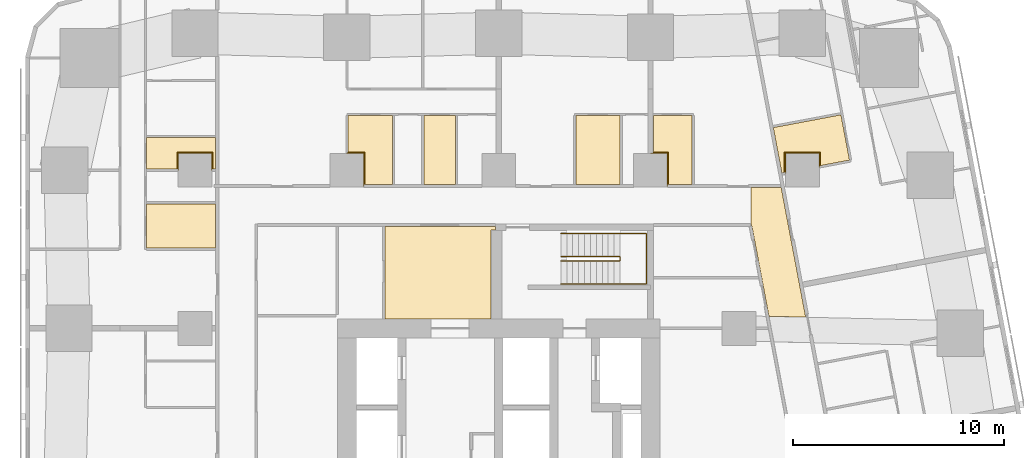
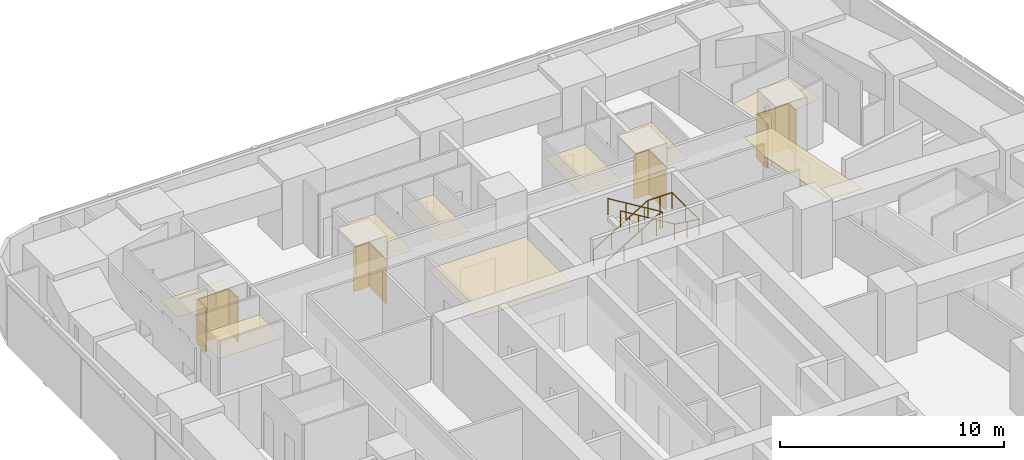
# One storey, part 14 of 14: 13 coverings, 2 railings.
"""IFC4 building model written with IfcOpenShell, lengths in metres."""

from ifc_helpers import new_model, si_unit, direction, frame, origin, origin_2d, place, context, subcontext, project, spatial, polyline, circle, outline, extrude, material, layer, layer_set, type_object, element, save


model = new_model("IFC4")

# Units and contexts
model_context = context("Model", 3, precision=1e-05, world=origin(), true_north=direction((0.0, 1.0)))
body_context = subcontext(model_context, "Body", "Model", "MODEL_VIEW")
ifc_project = project(units=[si_unit("LENGTHUNIT", "METRE"), si_unit("AREAUNIT", "SQUARE_METRE"), si_unit("VOLUMEUNIT", "CUBIC_METRE"), si_unit("PLANEANGLEUNIT", "RADIAN"), si_unit("MASSUNIT", "GRAM", prefix="KILO")], contexts=[model_context])

# Site, building, storey
site_placement = place(None, origin())
site = spatial("IfcSite", under=ifc_project, at=site_placement, CompositionType="ELEMENT")
building_placement = place(site_placement, origin())
building = spatial("IfcBuilding", under=site, at=building_placement, Name="Sheger Commons Tower", CompositionType="ELEMENT")
storey_placement = place(building_placement, frame((0.0, 0.0, 126.64990234375)))
storey = spatial("IfcBuildingStorey", under=building, at=storey_placement, Name="L32", CompositionType="ELEMENT", Elevation=126.64990234375)

# Railings
ifc_material_1 = material(Name="Steel handrail, black powder-coated", Category="steel")
railing_type = type_object("IfcRailingType", Name="HANDRAIL 900", PredefinedType="HANDRAIL", material=ifc_material_1)
railing_1_placement = place(storey_placement, frame((24.550048828125, 33.39990234375, 0.170654296875)))
element("IfcRailing", 1, at=railing_1_placement, inside=storey, type_object=railing_type, Name="Stair S2 handrail L32", PredefinedType="HANDRAIL", context=body_context, shape_type="SweptSolid", body=[
    extrude(circle(Radius=0.02392578125, at=origin_2d()), frame((0.0, 0.0, 0.8759765625), z_axis=(0.854202870247, 0.0, 0.519939858505), x_axis=(0.0, 1.0, 0.0)), (0.0, 0.0, 1.0), 3.278076171875),
    extrude(circle(Radius=0.02392578125, at=origin_2d()), frame((2.800048828125, 0.0, 2.580078125), z_axis=(0.0, -0.760631612298, 0.649183757016), x_axis=(1.0, 0.0, 0.0)), (0.0, 0.0, 1.0), 0.262939453125),
    extrude(circle(Radius=0.02392578125, at=origin_2d()), frame((2.800048828125, -0.199951171875, 2.7509765625), z_axis=(-0.854202870247, 0.0, 0.519939858505), x_axis=(0.0, -1.0, 0.0)), (0.0, 0.0, 1.0), 3.278076171875),
    extrude(circle(Radius=0.02099609375, at=origin_2d()), origin(), (0.0, 0.0, 1.0), 0.851806640625),
    extrude(circle(Radius=0.02099609375, at=origin_2d()), frame((0.933349609375, 0.0, 0.568115234375)), (0.0, 0.0, 1.0), 0.851806640625),
    extrude(circle(Radius=0.02099609375, at=origin_2d()), frame((1.86669921875, 0.0, 1.13623046875)), (0.0, 0.0, 1.0), 0.851806640625),
    extrude(circle(Radius=0.02099609375, at=origin_2d()), frame((2.800048828125, 0.0, 1.704345703125)), (0.0, 0.0, 1.0), 0.851806640625),
    extrude(circle(Radius=0.02099609375, at=origin_2d()), frame((2.800048828125, -0.199951171875, 1.875)), (0.0, 0.0, 1.0), 0.851806640625),
    extrude(circle(Radius=0.02099609375, at=origin_2d()), frame((1.86669921875, -0.199951171875, 2.443115234375)), (0.0, 0.0, 1.0), 0.851806640625),
    extrude(circle(Radius=0.02099609375, at=origin_2d()), frame((0.933349609375, -0.199951171875, 3.01123046875)), (0.0, 0.0, 1.0), 0.851806640625),
    extrude(circle(Radius=0.02099609375, at=origin_2d()), frame((0.0, -0.199951171875, 3.579345703125)), (0.0, 0.0, 1.0), 0.851806640625),
])
railing_2_placement = place(storey_placement, frame((24.550048828125, 34.5, 0.170654296875)))
element("IfcRailing", 2, at=railing_2_placement, inside=storey, type_object=railing_type, Name="Stair S2 handrail L32", PredefinedType="HANDRAIL", context=body_context, shape_type="SweptSolid", body=[
    extrude(circle(Radius=0.02392578125, at=origin_2d()), frame((0.0, 0.0, 0.8759765625), z_axis=(0.854202870247, 0.0, 0.519939858505), x_axis=(0.0, 1.0, 0.0)), (0.0, 0.0, 1.0), 3.278076171875),
    extrude(circle(Radius=0.02392578125, at=origin_2d()), frame((2.800048828125, 0.0, 2.580078125), z_axis=(1.0, 0.0, 0.0), x_axis=(0.0, 1.0, 0.0)), (0.0, 0.0, 1.0), 1.25),
    extrude(circle(Radius=0.02392578125, at=origin_2d()), frame((4.050048828125, 0.0, 2.580078125), z_axis=(0.0, -1.0, 0.0), x_axis=(1.0, 0.0, 0.0)), (0.0, 0.0, 1.0), 2.39990234375),
    extrude(circle(Radius=0.02392578125, at=origin_2d()), frame((4.050048828125, -2.39990234375, 2.580078125), z_axis=(-0.990808959222, 0.0, 0.135268645019), x_axis=(0.0, -1.0, 0.0)), (0.0, 0.0, 1.0), 1.261474609375),
    extrude(circle(Radius=0.02392578125, at=origin_2d()), frame((2.800048828125, -2.39990234375, 2.7509765625), z_axis=(-0.854202870247, 0.0, 0.519939858505), x_axis=(0.0, -1.0, 0.0)), (0.0, 0.0, 1.0), 3.278076171875),
    extrude(circle(Radius=0.02099609375, at=origin_2d()), origin(), (0.0, 0.0, 1.0), 0.851806640625),
    extrude(circle(Radius=0.02099609375, at=origin_2d()), frame((0.933349609375, 0.0, 0.568115234375)), (0.0, 0.0, 1.0), 0.851806640625),
    extrude(circle(Radius=0.02099609375, at=origin_2d()), frame((1.86669921875, 0.0, 1.13623046875)), (0.0, 0.0, 1.0), 0.851806640625),
    extrude(circle(Radius=0.02099609375, at=origin_2d()), frame((2.800048828125, 0.0, 1.704345703125)), (0.0, 0.0, 1.0), 0.851806640625),
    extrude(circle(Radius=0.02099609375, at=origin_2d()), frame((3.425048828125, 0.0, 1.704345703125)), (0.0, 0.0, 1.0), 0.851806640625),
    extrude(circle(Radius=0.02099609375, at=origin_2d()), frame((4.050048828125, 0.0, 1.704345703125)), (0.0, 0.0, 1.0), 0.851806640625),
    extrude(circle(Radius=0.02099609375, at=origin_2d()), frame((4.050048828125, -1.199951171875, 1.704345703125)), (0.0, 0.0, 1.0), 0.851806640625),
    extrude(circle(Radius=0.02099609375, at=origin_2d()), frame((4.050048828125, -2.39990234375, 1.704345703125)), (0.0, 0.0, 1.0), 0.851806640625),
    extrude(circle(Radius=0.02099609375, at=origin_2d()), frame((3.425048828125, -2.39990234375, 1.78955078125)), (0.0, 0.0, 1.0), 0.851806640625),
    extrude(circle(Radius=0.02099609375, at=origin_2d()), frame((2.800048828125, -2.39990234375, 1.875)), (0.0, 0.0, 1.0), 0.851806640625),
    extrude(circle(Radius=0.02099609375, at=origin_2d()), frame((1.86669921875, -2.39990234375, 2.443115234375)), (0.0, 0.0, 1.0), 0.851806640625),
    extrude(circle(Radius=0.02099609375, at=origin_2d()), frame((0.933349609375, -2.39990234375, 3.01123046875)), (0.0, 0.0, 1.0), 0.851806640625),
    extrude(circle(Radius=0.02099609375, at=origin_2d()), frame((0.0, -2.39990234375, 3.579345703125)), (0.0, 0.0, 1.0), 0.851806640625),
])

# Coverings
ifc_material_2 = material(Name="Moisture-resistant gypsum plasterboard 15 mm on a suspended galvanised steel grid", Category="steel")
ifc_layer_1 = layer(ifc_material_2, 0.014892578125)
ifc_layer_set_1 = layer_set([ifc_layer_1], Name="MOISTURE-RESISTANT CEILING 15")
covering_type_1 = type_object("IfcCoveringType", Name="MOISTURE-RESISTANT CEILING 15", PredefinedType="CEILING", material=ifc_layer_set_1)
covering_1_placement = place(storey_placement, frame((0.0, 0.0, 2.400146484375)))
element("IfcCovering", 3, at=covering_1_placement, inside=storey, type_object=covering_type_1, Name="L32-04.B1 ceiling", PredefinedType="CEILING", context=body_context, shape_type="SweptSolid", body=[
    extrude(outline(polyline([(4.905029296875, 33.804931640625), (8.169921875, 33.804931640625), (8.169921875, 35.905029296875), (4.905029296875, 35.905029296875), (4.905029296875, 33.804931640625)])), origin(), (0.0, 0.0, 1.0), 0.014892578125),
])
covering_2_placement = place(storey_placement, frame((0.0, 0.0, 2.400146484375)))
element("IfcCovering", 4, at=covering_2_placement, inside=storey, type_object=covering_type_1, Name="L32-04.B2 ceiling", PredefinedType="CEILING", context=body_context, shape_type="SweptSolid", body=[
    extrude(outline(polyline([(4.905029296875, 37.554931640625), (6.39501953125, 37.554931640625), (6.39501953125, 38.304931640625), (8.0048828125, 38.304931640625), (8.0048828125, 37.554931640625), (8.169921875, 37.554931640625), (8.169921875, 39.044921875), (4.905029296875, 39.044921875), (4.905029296875, 37.554931640625)])), origin(), (0.0, 0.0, 1.0), 0.014892578125),
])
covering_3_placement = place(storey_placement, frame((0.0, 0.0, 2.400146484375)))
element("IfcCovering", 5, at=covering_3_placement, inside=storey, type_object=covering_type_1, Name="L32-09.B1 ceiling", PredefinedType="CEILING", context=body_context, shape_type="SweptSolid", body=[
    extrude(outline(polyline([(35.193115234375, 37.35888671875), (35.195068359375, 37.35888671875), (35.195068359375, 38.304931640625), (36.804931640625, 38.304931640625), (36.804931640625, 37.7080078125), (38.23388671875, 37.97900390625), (37.827880859375, 40.126953125), (34.62109375, 39.52197265625), (35.027099609375, 37.3720703125), (35.18505859375, 37.402099609375), (35.193115234375, 37.35888671875)])), origin(), (0.0, 0.0, 1.0), 0.014892578125),
])
covering_4_placement = place(storey_placement, frame((0.0, 0.0, 2.400146484375)))
element("IfcCovering", 6, at=covering_4_placement, inside=storey, type_object=covering_type_1, Name="L32-13.B1 ceiling", PredefinedType="CEILING", context=body_context, shape_type="SweptSolid", body=[
    extrude(outline(polyline([(15.205078125, 36.830078125), (16.554931640625, 36.830078125), (16.554931640625, 40.094970703125), (14.455078125, 40.094970703125), (14.455078125, 38.304931640625), (15.205078125, 38.304931640625), (15.205078125, 36.830078125)])), origin(), (0.0, 0.0, 1.0), 0.014892578125),
])
covering_5_placement = place(storey_placement, frame((0.0, 0.0, 2.400146484375)))
element("IfcCovering", 7, at=covering_5_placement, inside=storey, type_object=covering_type_1, Name="L32-13.B2 ceiling", PredefinedType="CEILING", context=body_context, shape_type="SweptSolid", body=[
    extrude(outline(polyline([(18.054931640625, 36.830078125), (19.544921875, 36.830078125), (19.544921875, 40.094970703125), (18.054931640625, 40.094970703125), (18.054931640625, 36.830078125)])), origin(), (0.0, 0.0, 1.0), 0.014892578125),
])
covering_6_placement = place(storey_placement, frame((0.0, 0.0, 2.400146484375)))
element("IfcCovering", 8, at=covering_6_placement, inside=storey, type_object=covering_type_1, Name="L32-14.B1 ceiling", PredefinedType="CEILING", context=body_context, shape_type="SweptSolid", body=[
    extrude(outline(polyline([(25.2548828125, 36.830078125), (27.35498046875, 36.830078125), (27.35498046875, 40.094970703125), (25.2548828125, 40.094970703125), (25.2548828125, 36.830078125)])), origin(), (0.0, 0.0, 1.0), 0.014892578125),
])
covering_7_placement = place(storey_placement, frame((0.0, 0.0, 2.400146484375)))
element("IfcCovering", 9, at=covering_7_placement, inside=storey, type_object=covering_type_1, Name="L32-15.B1 ceiling", PredefinedType="CEILING", context=body_context, shape_type="SweptSolid", body=[
    extrude(outline(polyline([(29.60498046875, 36.830078125), (30.77392578125, 36.830078125), (30.77392578125, 40.094970703125), (28.929931640625, 40.094970703125), (28.929931640625, 38.304931640625), (29.60498046875, 38.304931640625), (29.60498046875, 36.830078125)])), origin(), (0.0, 0.0, 1.0), 0.014892578125),
])
ifc_material_3 = material(Name="Gypsum plasterboard 15 mm on a suspended steel grid", Category="steel")
ifc_layer_2 = layer(ifc_material_3, 0.014892578125)
ifc_layer_set_2 = layer_set([ifc_layer_2], Name="SUSPENDED CEILING 15")
covering_type_2 = type_object("IfcCoveringType", Name="SUSPENDED CEILING 15", PredefinedType="CEILING", material=ifc_layer_set_2)
covering_8_placement = place(storey_placement, frame((0.0, 0.0, 2.7001953125)))
element("IfcCovering", 10, at=covering_8_placement, inside=storey, type_object=covering_type_2, Name="L32-CO ceiling", PredefinedType="CEILING", context=body_context, shape_type="SweptSolid", body=[
    extrude(outline(polyline([(36.156005859375, 30.533935546875), (34.98193359375, 36.75), (34.97802734375, 36.75), (34.97802734375, 36.669921875), (33.572998046875, 36.669921875), (33.572998046875, 34.947998046875), (33.571044921875, 34.947998046875), (33.589111328125, 34.85205078125), (33.60595703125, 34.85498046875), (34.4150390625, 30.572998046875), (36.156005859375, 30.533935546875)])), origin(), (0.0, 0.0, 1.0), 0.014892578125),
])
covering_9_placement = place(storey_placement, frame((0.0, 0.0, 2.7001953125)))
element("IfcCovering", 11, at=covering_9_placement, inside=storey, type_object=covering_type_2, Name="L32-SVN1 ceiling", PredefinedType="CEILING", context=body_context, shape_type="SweptSolid", body=[
    extrude(outline(polyline([(16.217041015625, 30.455078125), (21.2451171875, 30.455078125), (21.2451171875, 34.655029296875), (21.445068359375, 34.655029296875), (21.445068359375, 34.83203125), (16.217041015625, 34.83203125), (16.217041015625, 30.455078125)])), origin(), (0.0, 0.0, 1.0), 0.014892578125),
])
ifc_material_4 = material(Name="Moisture-resistant gypsum board 12.5 mm on 25 mm treated timber battens, tanked and tiled", Category="wood")
ifc_layer_3 = layer(ifc_material_4, 0.050048828125)
ifc_layer_set_3 = layer_set([ifc_layer_3], Name="WET-ROOM COLUMN LINING")
covering_type_3 = type_object("IfcCoveringType", Name="WET-ROOM COLUMN LINING", PredefinedType="CLADDING", material=ifc_layer_set_3)
covering_10_placement = place(storey_placement, origin())
element("IfcCovering", 12, at=covering_10_placement, inside=storey, type_object=covering_type_3, Name="Shower room column lining C9 L32", PredefinedType="CLADDING", context=body_context, shape_type="SweptSolid", body=[
    extrude(outline(polyline([(8.050048828125, 38.35009765625), (8.050048828125, 37.550048828125), (8.0009765625, 37.550048828125), (8.0009765625, 37.5), (8.0, 37.5), (8.0, 38.300048828125), (6.39990234375, 38.300048828125), (6.39990234375, 37.5), (6.39892578125, 37.5), (6.39892578125, 37.550048828125), (6.35009765625, 37.550048828125), (6.35009765625, 38.35009765625), (8.050048828125, 38.35009765625)])), origin(), (0.0, 0.0, 1.0), 2.400146484375),
])
covering_11_placement = place(storey_placement, origin())
element("IfcCovering", 13, at=covering_11_placement, inside=storey, type_object=covering_type_3, Name="Bathroom column lining C9 L32", PredefinedType="CLADDING", context=body_context, shape_type="SweptSolid", body=[
    extrude(outline(polyline([(15.25, 36.824951171875), (15.200927734375, 36.824951171875), (15.200927734375, 36.75), (15.199951171875, 36.75), (15.199951171875, 38.300048828125), (14.39990234375, 38.300048828125), (14.39990234375, 38.301025390625), (14.449951171875, 38.301025390625), (14.449951171875, 38.35009765625), (15.25, 38.35009765625), (15.25, 36.824951171875)])), origin(), (0.0, 0.0, 1.0), 2.400146484375),
])
covering_12_placement = place(storey_placement, origin())
element("IfcCovering", 14, at=covering_12_placement, inside=storey, type_object=covering_type_3, Name="Shower room column lining C9 L32", PredefinedType="CLADDING", context=body_context, shape_type="SweptSolid", body=[
    extrude(outline(polyline([(29.64990234375, 36.824951171875), (29.60107421875, 36.824951171875), (29.60107421875, 36.75), (29.60009765625, 36.75), (29.60009765625, 38.300048828125), (28.800048828125, 38.300048828125), (28.800048828125, 38.301025390625), (28.925048828125, 38.301025390625), (28.925048828125, 38.35009765625), (29.64990234375, 38.35009765625), (29.64990234375, 36.824951171875)])), origin(), (0.0, 0.0, 1.0), 2.400146484375),
])
covering_13_placement = place(storey_placement, origin())
element("IfcCovering", 15, at=covering_13_placement, inside=storey, type_object=covering_type_3, Name="Bathroom column lining C9 L32", PredefinedType="CLADDING", context=body_context, shape_type="SweptSolid", body=[
    extrude(outline(polyline([(36.85009765625, 38.35009765625), (36.85009765625, 37.7109375), (36.801025390625, 37.701904296875), (36.81005859375, 37.653076171875), (36.800048828125, 37.65087890625), (36.800048828125, 38.300048828125), (35.199951171875, 38.300048828125), (35.199951171875, 37.34912109375), (35.18994140625, 37.346923828125), (35.180908203125, 37.39599609375), (35.14990234375, 37.389892578125), (35.14990234375, 38.35009765625), (36.85009765625, 38.35009765625)])), origin(), (0.0, 0.0, 1.0), 2.400146484375),
])

save(model, "model.ifc")
